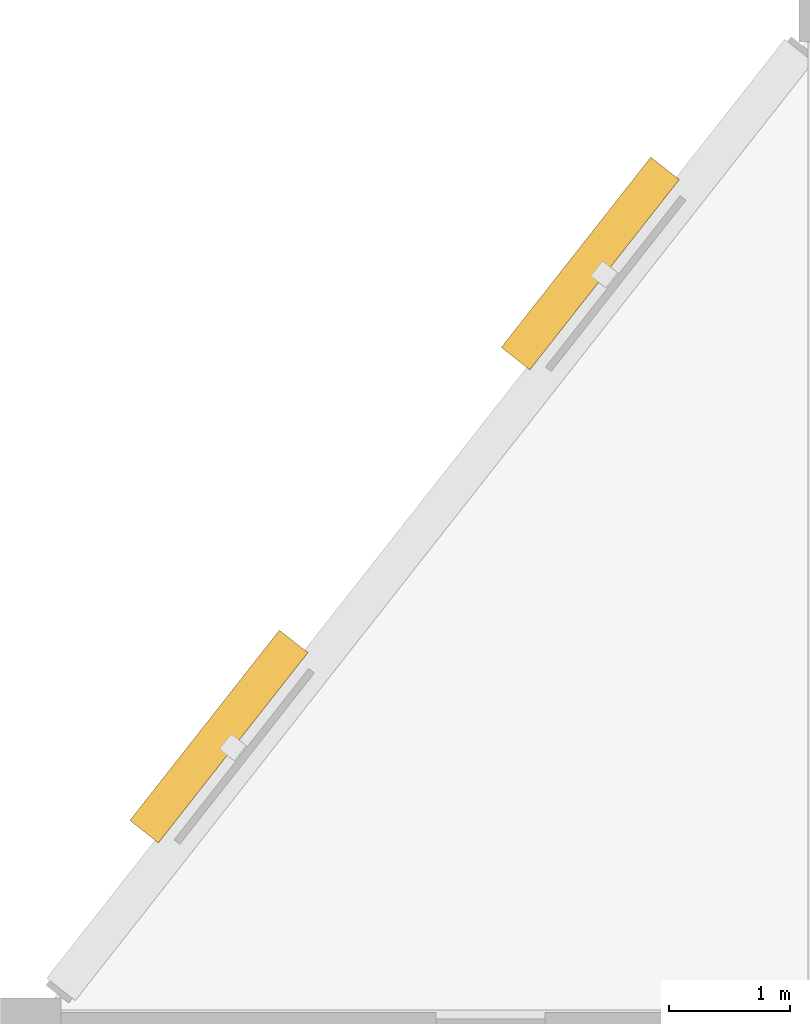
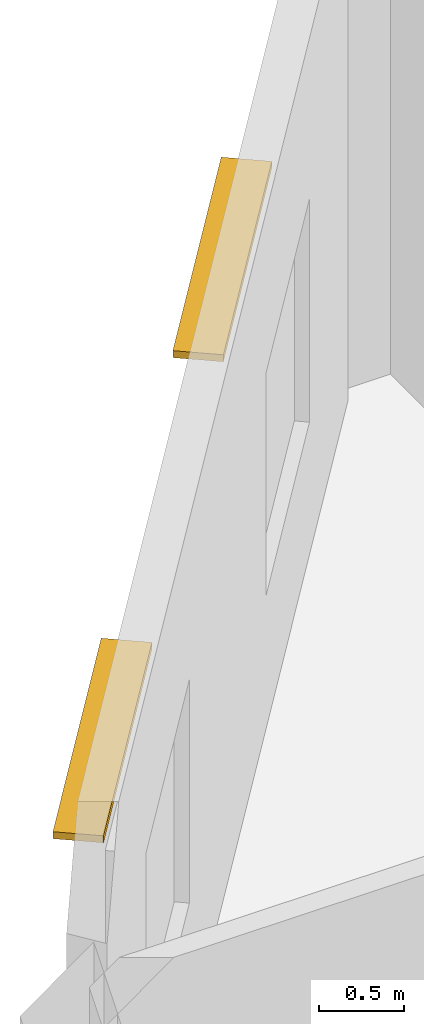
# One storey, part 7 of 7: 2 shading devices.
"""IFC4 building model written with IfcOpenShell, lengths in metres."""

from ifc_helpers import new_model, si_unit, direction, frame, origin, origin_2d, place, context, subcontext, project, spatial, rectangle, extrude, material, layer, layer_set, type_object, element, save


model = new_model("IFC4")

# Units and contexts
model_context = context("Model", 3, precision=1e-05, world=origin(), true_north=direction((0.0, 1.0)))
body_context = subcontext(model_context, "Body", "Model", "MODEL_VIEW")
ifc_project = project(units=[si_unit("LENGTHUNIT", "METRE"), si_unit("AREAUNIT", "SQUARE_METRE"), si_unit("VOLUMEUNIT", "CUBIC_METRE"), si_unit("PLANEANGLEUNIT", "RADIAN"), si_unit("MASSUNIT", "GRAM", prefix="KILO")], contexts=[model_context])

# Site, building, storey
site_placement = place(None, origin())
site = spatial("IfcSite", under=ifc_project, at=site_placement, CompositionType="ELEMENT")
building_placement = place(site_placement, origin())
building = spatial("IfcBuilding", under=site, at=building_placement, Name="Qaldarim Faculty of Natural and Applied Sciences", CompositionType="ELEMENT")
storey_placement = place(building_placement, frame((0.0, 0.0, 47.10009765625)))
storey = spatial("IfcBuildingStorey", under=building, at=storey_placement, Name="L11", CompositionType="ELEMENT", Elevation=47.10009765625)

# Shading devices
ifc_material = material(Name="Champagne anodised aluminium AW-6063", Category="aluminium")
ifc_layer = layer(ifc_material, 0.050048828125)
ifc_layer_set = layer_set([ifc_layer], Name="Champagne anodised aluminium AW-6063")
shading_device_type = type_object("IfcShadingDeviceType", Name="SolarLouvre-ALU300x50", PredefinedType="JALOUSIE", material=ifc_layer_set)
for number, where, z_axis, x_axis, name in (
    (1, (159.955078125, 36.010009765625, 2.6748046875), (0.0, 0.0, 1.0), (0.617818442277, 0.786320782112, 0.0), "Oblique facade horizontal solar louvre SHD-OBL-NW-L11-1"),
    (2, (163.02490234375, 39.919921875, 2.6748046875), (0.0, 0.0, 1.0), (0.617818442277, 0.786320782112, 0.0), "Oblique facade horizontal solar louvre SHD-OBL-NW-L11-2"),
):
    element("IfcShadingDevice", number, at=place(storey_placement, frame(where, z_axis=z_axis, x_axis=x_axis)), inside=storey, type_object=shading_device_type, Name=name, PredefinedType="JALOUSIE", context=body_context, shape_type="SweptSolid", body=[
        extrude(rectangle(XDim=2.0, YDim=0.300048828125, at=origin_2d()), origin(), (0.0, 0.0, 1.0), 0.050048828125),
    ])

save(model, "model.ifc")
